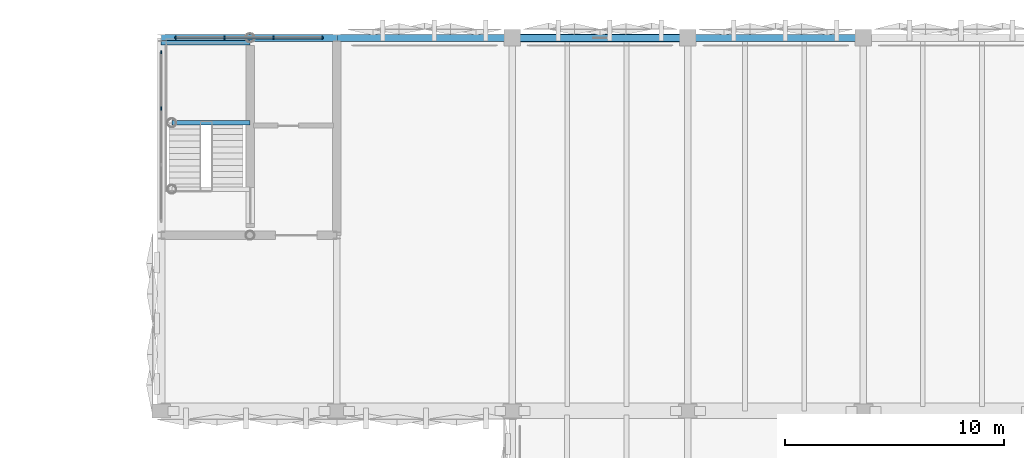
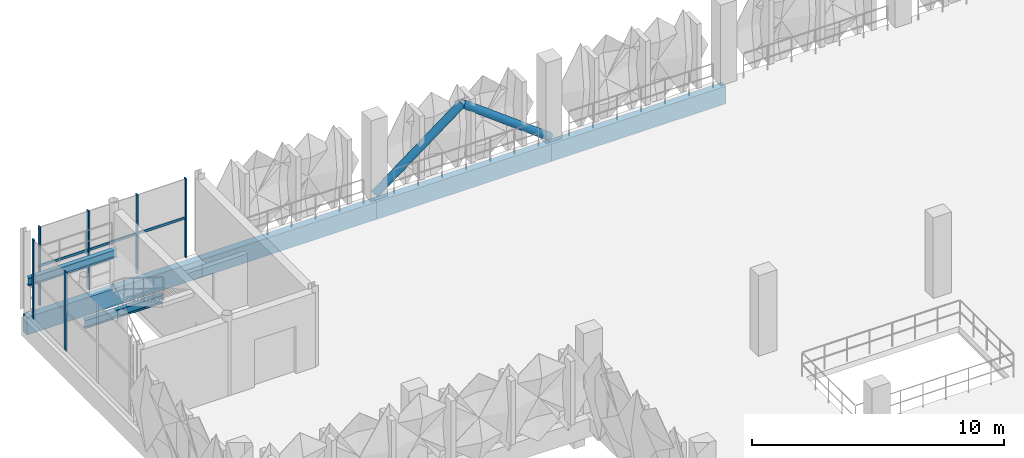
# One storey, part 26 of 83: 9 members, 6 beams, 2 elements without a shape of their own.
"""IFC4 building model written with IfcOpenShell, lengths in metres."""

from ifc_helpers import new_model, si_unit, derived_unit, direction, frame, origin, origin_2d, place, context, subcontext, project, spatial, rectangle, hollow_circle, i_section, extrude, material, layer, layer_set, material_profile, profile_set, type_object, element, aggregate, save


model = new_model("IFC4")

# Units and contexts
model_context = context("Model", 3, precision=1e-05, world=origin(), true_north=direction((0.0, 1.0)))
body_context = subcontext(model_context, "Body", "Model", "MODEL_VIEW")
ifc_project = project(units=[si_unit("LENGTHUNIT", "METRE"), si_unit("AREAUNIT", "SQUARE_METRE"), si_unit("VOLUMEUNIT", "CUBIC_METRE"), si_unit("PLANEANGLEUNIT", "RADIAN"), si_unit("MASSUNIT", "GRAM", prefix="KILO"), si_unit("THERMODYNAMICTEMPERATUREUNIT", "KELVIN"), derived_unit("THERMALTRANSMITTANCEUNIT", [(si_unit("POWERUNIT", "WATT"), 1), (si_unit("AREAUNIT", "SQUARE_METRE"), -1), (si_unit("THERMODYNAMICTEMPERATUREUNIT", "KELVIN"), -1)])], contexts=[model_context])

# Site, building, storey
site_placement = place(None, origin())
site = spatial("IfcSite", under=ifc_project, at=site_placement, CompositionType="ELEMENT")
building_placement = place(site_placement, origin())
building = spatial("IfcBuilding", under=site, at=building_placement, Name="Haiyu Intermodal Mobility Hub", CompositionType="ELEMENT")
storey_placement = place(building_placement, frame((0.0, 0.0, 13.39990234375)))
storey = spatial("IfcBuildingStorey", under=building, at=storey_placement, Name="L03", CompositionType="ELEMENT", Elevation=13.39990234375)

# Beams
ifc_material_1 = material(Name="Steel Q355C", Category="steel")
ifc_material_profile_1 = material_profile(ifc_material_1, i_section(OverallWidth=0.199951171875, OverallDepth=0.39990234375, WebThickness=0.008056640625, FlangeThickness=0.012939453125, FilletRadius=0.01611328125, at=origin_2d()), Name="HN400x200x8x13")
ifc_profile_set_1 = profile_set([ifc_material_profile_1], Name="Steel Q355C")
beam_type_1 = type_object("IfcBeamType", Name="BM-SB08", PredefinedType="JOIST", material=ifc_profile_set_1)
beam_1_placement = place(storey_placement, frame((22.47998046875, 144.1298828125, 1.525146484375), z_axis=(1.0, 0.0, 0.0), x_axis=(0.0, 1.0, 0.0)))
element("IfcBeam", 1, at=beam_1_placement, inside=storey, type_object=beam_type_1, Name="Stair Half-Landing Front Beam C3-L03", PredefinedType="JOIST", context=body_context, shape_type="SweptSolid", body=[
    extrude(i_section(OverallWidth=0.199951171875, OverallDepth=0.39990234375, WebThickness=0.008056640625, FlangeThickness=0.012939453125, FilletRadius=0.01611328125, at=origin_2d()), origin(), (0.0, 0.0, 1.0), 3.570068359375),
])
beam_2_placement = place(storey_placement, frame((22.0, 147.780029296875, 1.525146484375), z_axis=(1.0, 0.0, 0.0), x_axis=(0.0, 1.0, 0.0)))
element("IfcBeam", 2, at=beam_2_placement, inside=storey, type_object=beam_type_1, Name="Stair Half-Landing Rear Beam C3-L03", PredefinedType="JOIST", context=body_context, shape_type="SweptSolid", body=[
    extrude(i_section(OverallWidth=0.199951171875, OverallDepth=0.39990234375, WebThickness=0.008056640625, FlangeThickness=0.012939453125, FilletRadius=0.01611328125, at=origin_2d()), origin(), (0.0, 0.0, 1.0), 4.050048828125),
])
ifc_material_2 = material(Name="Precast concrete C40", Category="concrete")
ifc_material_profile_2 = material_profile(ifc_material_2, rectangle(XDim=0.320068359375, YDim=0.85009765625, at=origin_2d()), Name="PC320x850")
ifc_profile_set_2 = profile_set([ifc_material_profile_2], Name="Precast concrete C40")
beam_type_2 = type_object("IfcBeamType", Name="BM-SP02", PredefinedType="SPANDREL", material=ifc_profile_set_2)
for number, where, z_axis, x_axis, name in (
    (3, (22.0, 148.0, -0.699951171875), (1.0, 0.0, 0.0), (0.0, 1.0, 0.0), "BM-V4G-L03-041"),
    (4, (30.0, 148.0, -0.699951171875), (1.0, 0.0, 0.0), (0.0, 1.0, 0.0), "BM-V4G-L03-042"),
    (5, (38.0, 148.0, -0.699951171875), (1.0, 0.0, 0.0), (0.0, 1.0, 0.0), "BM-V4G-L03-043"),
    (6, (46.0, 148.0, -0.699951171875), (1.0, 0.0, 0.0), (0.0, 1.0, 0.0), "BM-V4G-L03-044"),
):
    element("IfcBeam", number, at=place(storey_placement, frame(where, z_axis=z_axis, x_axis=x_axis)), inside=storey, type_object=beam_type_2, Name=name, PredefinedType="SPANDREL", context=body_context, shape_type="SweptSolid", body=[
        extrude(rectangle(XDim=0.320068359375, YDim=0.85009765625, at=origin_2d()), origin(), (0.0, 0.0, 1.0), 8.0),
    ])

# Curtain wall, members
ifc_material_3 = material(Name="Low-e laminated insulating glass", Category="glass")
ifc_layer = layer(ifc_material_3, 0.199951171875)
ifc_layer_set = layer_set([ifc_layer], Name="Low-e laminated insulating glass")
curtain_wall_type = type_object("IfcCurtainWallType", Name="CW-CW03", PredefinedType="NOTDEFINED", material=ifc_layer_set)
curtain_wall_1_placement = place(storey_placement, origin())
curtain_wall_1 = element("IfcCurtainWall", 7, at=curtain_wall_1_placement, inside=storey, type_object=curtain_wall_type, Name="Curtain Wall CW-C3N-L03-055", PredefinedType="NOTDEFINED")
ifc_material_4 = material(Name="Anodised aluminium 6063-T6", Category="aluminium")
ifc_material_profile_3 = material_profile(ifc_material_4, rectangle(XDim=0.06005859375, YDim=0.14501953125, at=origin_2d()), Name="ALU60x145")
ifc_profile_set_3 = profile_set([ifc_material_profile_3], Name="Anodised aluminium 6063-T6")
member_type_1 = type_object("IfcMemberType", Name="CWM-ML03", PredefinedType="MULLION", material=ifc_profile_set_3)
member_1_placement = place(storey_placement, frame((29.340087890625, 148.0, 0.0), z_axis=(0.0, 0.0, 1.0), x_axis=(1.0, 0.0, 0.0)))
member_1 = element("IfcMember", 8, at=member_1_placement, type_object=member_type_1, Name="CW-C3N-L03-055-ML01", PredefinedType="MULLION", context=body_context, shape_type="SweptSolid", body=[
    extrude(rectangle(XDim=0.06005859375, YDim=0.14501953125, at=origin_2d()), origin(), (0.0, 0.0, 1.0), 3.820068359375),
])
member_2_placement = place(storey_placement, frame((27.113037109375, 148.0, 0.0), z_axis=(0.0, 0.0, 1.0), x_axis=(1.0, 0.0, 0.0)))
member_2 = element("IfcMember", 9, at=member_2_placement, type_object=member_type_1, Name="CW-C3N-L03-055-ML02", PredefinedType="MULLION", context=body_context, shape_type="SweptSolid", body=[
    extrude(rectangle(XDim=0.06005859375, YDim=0.14501953125, at=origin_2d()), origin(), (0.0, 0.0, 1.0), 3.820068359375),
])
member_3_placement = place(storey_placement, frame((24.886962890625, 148.0, 0.0), z_axis=(0.0, 0.0, 1.0), x_axis=(1.0, 0.0, 0.0)))
member_3 = element("IfcMember", 10, at=member_3_placement, type_object=member_type_1, Name="CW-C3N-L03-055-ML03", PredefinedType="MULLION", context=body_context, shape_type="SweptSolid", body=[
    extrude(rectangle(XDim=0.06005859375, YDim=0.14501953125, at=origin_2d()), origin(), (0.0, 0.0, 1.0), 3.820068359375),
])
member_4_placement = place(storey_placement, frame((22.659912109375, 148.0, 0.0), z_axis=(0.0, 0.0, 1.0), x_axis=(1.0, 0.0, 0.0)))
member_4 = element("IfcMember", 11, at=member_4_placement, type_object=member_type_1, Name="CW-C3N-L03-055-ML04", PredefinedType="MULLION", context=body_context, shape_type="SweptSolid", body=[
    extrude(rectangle(XDim=0.06005859375, YDim=0.14501953125, at=origin_2d()), origin(), (0.0, 0.0, 1.0), 3.820068359375),
])

curtain_wall_2_placement = place(storey_placement, origin())
curtain_wall_2 = element("IfcCurtainWall", 12, at=curtain_wall_2_placement, inside=storey, type_object=curtain_wall_type, Name="Curtain Wall CW-C3S-L03-056", PredefinedType="NOTDEFINED")
member_5_placement = place(storey_placement, frame((22.0, 147.340087890625, 0.0), z_axis=(0.0, 0.0, 1.0), x_axis=(1.0, 0.0, 0.0)))
member_5 = element("IfcMember", 13, at=member_5_placement, type_object=member_type_1, Name="CW-C3S-L03-056-ML01", PredefinedType="MULLION", context=body_context, shape_type="SweptSolid", body=[
    extrude(rectangle(XDim=0.06005859375, YDim=0.14501953125, at=origin_2d()), origin(), (0.0, 0.0, 1.0), 3.820068359375),
])
member_6_placement = place(storey_placement, frame((22.0, 144.780029296875, 0.0), z_axis=(0.0, 0.0, 1.0), x_axis=(1.0, 0.0, 0.0)))
member_6 = element("IfcMember", 14, at=member_6_placement, type_object=member_type_1, Name="CW-C3S-L03-056-ML02", PredefinedType="MULLION", context=body_context, shape_type="SweptSolid", body=[
    extrude(rectangle(XDim=0.06005859375, YDim=0.14501953125, at=origin_2d()), origin(), (0.0, 0.0, 1.0), 3.820068359375),
])
aggregate(curtain_wall_2, [member_5, member_6])

# Member
ifc_material_profile_4 = material_profile(ifc_material_4, rectangle(XDim=0.06005859375, YDim=0.114990234375, at=origin_2d()), Name="ALU60x115")
ifc_profile_set_4 = profile_set([ifc_material_profile_4], Name="Anodised aluminium 6063-T6")
member_type_2 = type_object("IfcMemberType", Name="CWM-TR03", PredefinedType="USERDEFINED", material=ifc_profile_set_4)
member_7_placement = place(storey_placement, frame((29.3798828125, 148.0, 1.91015625), z_axis=(-1.0, 0.0, 0.0), x_axis=(0.0, -1.0, 0.0)))
member_7 = element("IfcMember", 15, at=member_7_placement, type_object=member_type_2, Name="CW-C3N-L03-055-TR01", ObjectType="TRANSOM", PredefinedType="USERDEFINED", context=body_context, shape_type="SweptSolid", body=[
    extrude(rectangle(XDim=0.06005859375, YDim=0.114990234375, at=origin_2d()), origin(), (0.0, 0.0, 1.0), 6.759765625),
])

aggregate(curtain_wall_1, [member_1, member_2, member_3, member_4, member_7])

# Members
ifc_material_profile_5 = material_profile(ifc_material_1, hollow_circle(Radius=0.177978515625, WallThickness=0.011962890625, at=origin_2d()), Name="CHS356x12")
ifc_profile_set_5 = profile_set([ifc_material_profile_5], Name="Steel Q355C")
member_type_3 = type_object("IfcMemberType", Name="MEM-BR01", PredefinedType="BRACE", material=ifc_profile_set_5)
for number, where, z_axis, x_axis, name in (
    (16, (38.0, 148.0, 0.0), (0.8, 0.0, 0.6), (0.0, 1.0, 0.0), "Seismic Chevron Brace B1-L03-A"),
    (17, (46.0, 148.0, 0.0), (-0.8, 0.0, 0.6), (0.0, -1.0, 0.0), "Seismic Chevron Brace B1-L03-B"),
):
    element("IfcMember", number, at=place(storey_placement, frame(where, z_axis=z_axis, x_axis=x_axis)), inside=storey, type_object=member_type_3, Name=name, PredefinedType="BRACE", context=body_context, shape_type="SweptSolid", body=[
        extrude(hollow_circle(Radius=0.177978515625, WallThickness=0.011962890625, at=origin_2d()), origin(), (0.0, 0.0, 1.0), 5.0),
    ])

save(model, "model.ifc")
